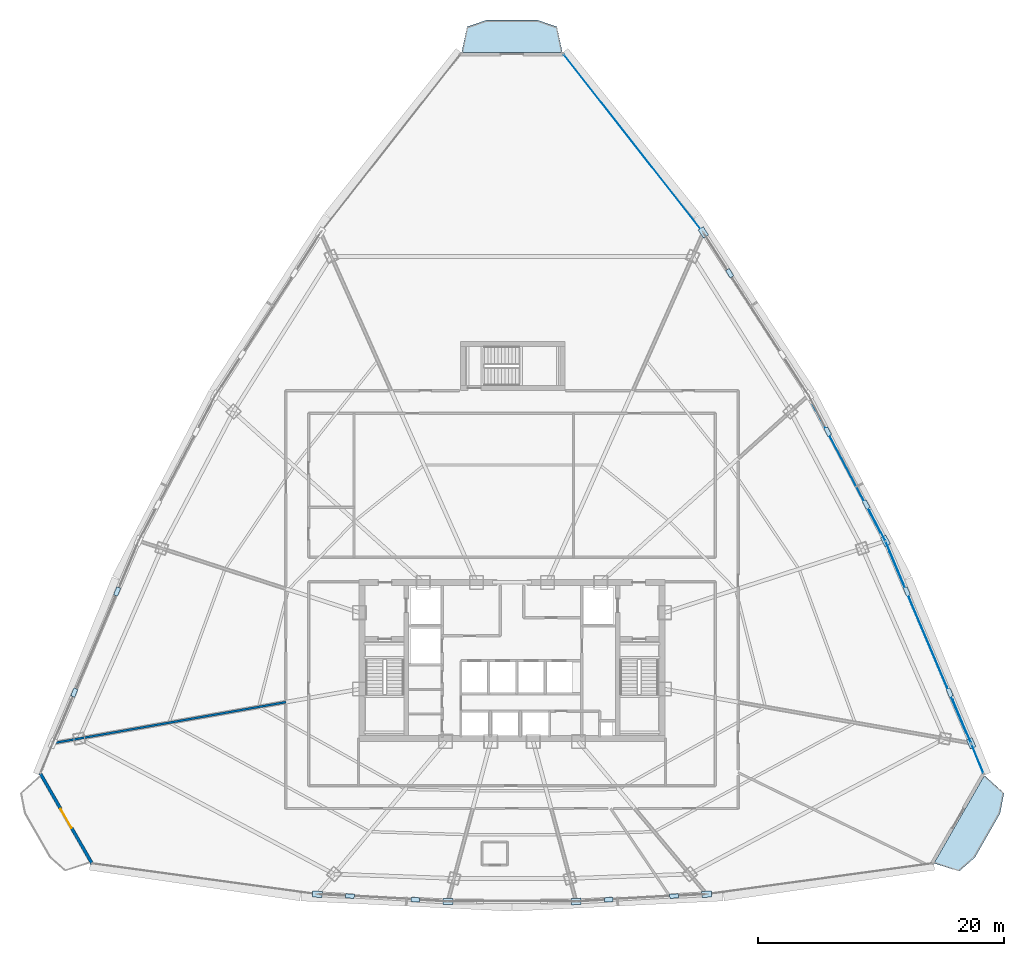
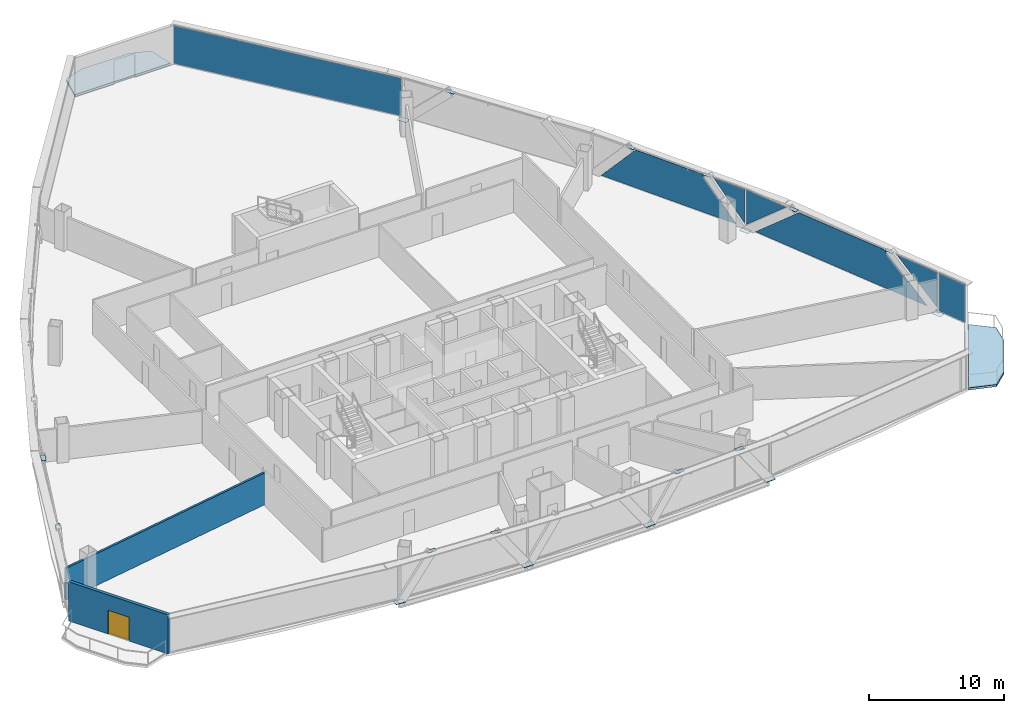
# One storey, part 29 of 37: 25 plates, 2 slabs, 2 walls, 1 door, 1 opening, 4 elements without a shape of their own.
"""IFC4 building model written with IfcOpenShell, lengths in metres."""

from ifc_helpers import new_model, si_unit, direction, frame, frame_2d, origin, origin_with_axes, origin_2d, place, context, subcontext, project, spatial, polyline, rectangle, outline, extrude, source, transform, mapped, material, layer, layer_set, type_object, element, fill, aggregate, save


model = new_model("IFC4")

# Units and contexts
model_context = context("Model", 3, precision=1e-05, world=origin(), true_north=direction((0.0, 1.0)))
body_context = subcontext(model_context, "Body", "Model", "MODEL_VIEW")
ifc_project = project(units=[si_unit("LENGTHUNIT", "METRE"), si_unit("AREAUNIT", "SQUARE_METRE"), si_unit("VOLUMEUNIT", "CUBIC_METRE"), si_unit("PLANEANGLEUNIT", "RADIAN"), si_unit("MASSUNIT", "GRAM", prefix="KILO"), si_unit("THERMODYNAMICTEMPERATUREUNIT", "KELVIN"), si_unit("POWERUNIT", "WATT")], contexts=[model_context])

# Site, building, storey
site_placement = place(None, origin())
site = spatial("IfcSite", under=ifc_project, at=site_placement, CompositionType="ELEMENT")
building_placement = place(site_placement, origin())
building = spatial("IfcBuilding", under=site, at=building_placement, Name="Yunzhuo Pagoda Commons", CompositionType="ELEMENT")
storey_placement = place(building_placement, frame((0.0, 0.0, 192.360107421875)))
storey = spatial("IfcBuildingStorey", under=building, at=storey_placement, Name="L48", CompositionType="ELEMENT", Elevation=192.360107421875)

# Curtain wall, plates
ifc_material_1 = material(Name="Anodized aluminium 6063-T6", Category="aluminium")
ifc_layer_1 = layer(ifc_material_1, 0.14990234375)
ifc_layer_set_1 = layer_set([ifc_layer_1], Name="Anodized aluminium 6063-T6")
curtain_wall_type = type_object("IfcCurtainWallType", Name="CW-MID Mid-Zone Ribbon Curtain Wall", PredefinedType="NOTDEFINED", material=ifc_layer_set_1)
curtain_wall_1_placement = place(storey_placement, origin())
curtain_wall_1 = element("IfcCurtainWall", 1, at=curtain_wall_1_placement, inside=storey, type_object=curtain_wall_type, Name="L48 curtain wall CW-L48-F2B2", PredefinedType="NOTDEFINED")
ifc_material_2 = material(Name="Tempered low-e double glazing", Category="glass")
ifc_layer_2 = layer(ifc_material_2, 0.028076171875)
ifc_layer_set_2 = layer_set([ifc_layer_2], Name="Tempered low-e double glazing")
plate_type_1 = type_object("IfcPlateType", Name="CW-MID-P Low-E Double Glazing 28", PredefinedType="CURTAIN_PANEL", material=ifc_layer_set_2)
plate_1_placement = place(storey_placement, frame((84.583740234375, 28.89306640625, 1.88720703125), z_axis=(0.920666607247, 0.390349840912, 0.0), x_axis=(-0.390349840912, 0.920666607247, 0.0)))
plate_1 = element("IfcPlate", 2, at=plate_1_placement, type_object=plate_type_1, Name="CW panel 1.1 lite 1", PredefinedType="CURTAIN_PANEL", context=body_context, shape_type="SweptSolid", body=[
    extrude(outline(polyline([(-1.878662109375, -1.59765625), (1.878662109375, 1.59765625), (-1.878662109375, 1.59765625), (-1.878662109375, -1.59765625)])), origin(), (0.0, 0.0, 1.0), 0.028076171875),
])
plate_2_placement = place(storey_placement, frame((81.82421875, 35.32470703125, 1.769775390625), z_axis=(0.920666607247, 0.390349840912, 0.0), x_axis=(-0.390349840912, 0.920666607247, 0.0)))
plate_2 = element("IfcPlate", 3, at=plate_2_placement, type_object=plate_type_1, Name="CW panel 1.1 lite 2", PredefinedType="CURTAIN_PANEL", context=body_context, shape_type="SweptSolid", body=[
    extrude(outline(polyline([(-7.97998046875, -1.715087890625), (7.97998046875, -1.715087890625), (3.94677734375, 1.715087890625), (-3.946533203125, 1.715087890625), (-7.97998046875, -1.715087890625)])), origin(), (0.0, 0.0, 1.0), 0.028076171875),
])
plate_3_placement = place(storey_placement, frame((79.119873046875, 41.779541015625, 1.88720703125), z_axis=(0.920666607247, 0.390349840912, 0.0), x_axis=(-0.390349840912, 0.920666607247, 0.0)))
plate_3 = element("IfcPlate", 4, at=plate_3_placement, type_object=plate_type_1, Name="CW panel 1.1 lite 3", PredefinedType="CURTAIN_PANEL", context=body_context, shape_type="SweptSolid", body=[
    extrude(outline(polyline([(-1.878662109375, 1.59765625), (1.878662109375, -1.59765625), (1.878662109375, 1.59765625), (-1.878662109375, 1.59765625)])), origin(), (0.0, 0.0, 1.0), 0.028076171875),
])
aggregate(curtain_wall_1, [plate_1, plate_2, plate_3])

curtain_wall_2_placement = place(storey_placement, origin())
curtain_wall_2 = element("IfcCurtainWall", 5, at=curtain_wall_2_placement, inside=storey, type_object=curtain_wall_type, Name="L48 curtain wall CW-L48-F2B3", PredefinedType="NOTDEFINED")
plate_4_placement = place(storey_placement, frame((77.69775390625, 44.825927734375, 1.933837890625), z_axis=(0.884483826433, 0.466570852903, 0.0), x_axis=(-0.466570852903, 0.884483826433, 0.0)))
plate_4 = element("IfcPlate", 6, at=plate_4_placement, type_object=plate_type_1, Name="CW panel 1.1 lite 1", PredefinedType="CURTAIN_PANEL", context=body_context, shape_type="SweptSolid", body=[
    extrude(outline(polyline([(-1.367431640625, -1.55126953125), (1.367431640625, 1.551025390625), (-1.367431640625, 1.551025390625), (-1.367431640625, -1.55126953125)])), origin(), (0.0, 0.0, 1.0), 0.028076171875),
])
plate_5_placement = place(storey_placement, frame((75.211181640625, 49.47509765625, 1.769775390625), z_axis=(0.884483826433, 0.466570852903, 0.0), x_axis=(-0.466570852903, 0.884483826433, 0.0)))
plate_5 = element("IfcPlate", 7, at=plate_5_placement, type_object=plate_type_1, Name="CW panel 1.1 lite 2", PredefinedType="CURTAIN_PANEL", context=body_context, shape_type="SweptSolid", body=[
    extrude(outline(polyline([(-5.91552734375, -1.715087890625), (5.91552734375, -1.715087890625), (2.891845703125, 1.715087890625), (-2.891845703125, 1.715087890625), (-5.91552734375, -1.715087890625)])), origin(), (0.0, 0.0, 1.0), 0.028076171875),
])
aggregate(curtain_wall_2, [plate_4, plate_5])

# Slabs
ifc_material_3 = material(Name="Concrete C40", Category="concrete")
ifc_layer_3 = layer(ifc_material_3, 0.199951171875)
ifc_layer_set_3 = layer_set([ifc_layer_3], Name="Concrete C40")
slab_type = type_object("IfcSlabType", Name="SL-BAL Vertex Balcony Deck Slab 200", PredefinedType="FLOOR", material=ifc_layer_set_3)
slab_1_placement = place(storey_placement, frame((0.0, 0.0, -0.2001953125)))
element("IfcSlab", 8, at=slab_1_placement, inside=storey, type_object=slab_type, Name="L48 corner balcony V2", PredefinedType="FLOOR", context=body_context, shape_type="SweptSolid", body=[
    extrude(outline(polyline([(82.33154296875, 17.347900390625), (86.431640625, 24.48876953125), (88.0244140625, 23.055419921875), (87.700439453125, 21.386474609375), (85.650390625, 17.81591796875), (84.37255859375, 16.69482421875), (82.33154296875, 17.347900390625)])), origin(), (0.0, 0.0, 1.0), 0.2001953125),
])
slab_2_placement = place(storey_placement, frame((0.0, 0.0, -0.2001953125)))
element("IfcSlab", 9, at=slab_2_placement, inside=storey, type_object=slab_type, Name="L48 corner balcony V3", PredefinedType="FLOOR", context=body_context, shape_type="SweptSolid", body=[
    extrude(outline(polyline([(52.10009765625, 83.302490234375), (43.89990234375, 83.302490234375), (44.349853515625, 85.3974609375), (45.949951171875, 85.947509765625), (50.050048828125, 85.947509765625), (51.650146484375, 85.3974609375), (52.10009765625, 83.302490234375)])), origin(), (0.0, 0.0, 1.0), 0.2001953125),
])

# Plates
ifc_material_4 = material(Name="Structural steel Q355B", Category="steel")
ifc_layer_4 = layer(ifc_material_4, 0.028076171875)
ifc_layer_set_4 = layer_set([ifc_layer_4], Name="Structural steel Q355B")
plate_type_2 = type_object("IfcPlateType", Name="SP-ND1 Lattice Node Cap Plate 800x500x28", PredefinedType="USERDEFINED", material=ifc_layer_set_4)
shared_shape_1 = source(origin(), body_context, "Body", "SweptSolid", [
    extrude(rectangle(XDim=0.800048828125, YDim=0.5, at=origin_2d()), origin(), (0.0, 0.0, 1.0), 0.028076171875),
])
for number, where, z_axis, x_axis, name in (
    (10, (32.165283203125, 14.8291015625, -0.27392578125), (0.0, 0.0, 1.0), (0.998431983443, -0.055978339012, 0.0), "L48 diamond node plate F1.1A"),
    (11, (42.783935546875, 14.233642578125, -0.27392578125), (0.0, 0.0, 1.0), (1.0, 0.0, 0.0), "L48 diamond node plate F1.2A"),
    (12, (53.216064453125, 14.233642578125, -0.27392578125), (0.0, 0.0, 1.0), (0.998431983443, 0.055978339012, 0.0), "L48 diamond node plate F1.3A"),
    (13, (63.834716796875, 14.8291015625, -0.27392578125), (0.0, 0.0, 1.0), (0.998431983443, 0.055978339012, 0.0), "L48 diamond node plate F1.3B"),
    (14, (85.353515625, 27.113525390625, -0.27392578125), (0.0, 0.0, 1.0), (-0.39034551405, 0.920668441764, 0.0), "L48 diamond node plate F2.1A"),
    (15, (78.376220703125, 43.56982421875, -0.27392578125), (0.0, 0.0, 1.0), (-0.466571896316, 0.884483276025, 0.0), "L48 diamond node plate F2.2A"),
    (16, (63.5654296875, 68.660888671875, -0.27392578125), (0.0, 0.0, 1.0), (-0.542910648791, 0.839790466384, 0.0), "L48 diamond node plate F2.3B"),
):
    element("IfcPlate", number, at=place(storey_placement, frame(where, z_axis=z_axis, x_axis=x_axis)), inside=storey, type_object=plate_type_2, Name=name, ObjectType="STIFFENER_PLATE", PredefinedType="USERDEFINED", context=body_context, shape_type="MappedRepresentation", body=[
        mapped(shared_shape_1, transform((0.0, 0.0, 0.0), scale=1.0)),
    ])
shared_shape_2 = source(origin(), body_context, "Body", "SweptSolid", [
    extrude(rectangle(XDim=0.699951171875, YDim=0.35009765625, at=origin_2d()), origin(), (0.0, 0.0, 1.0), 0.035888671875),
])
for number, where, z_axis, x_axis, name in (
    (17, (34.820068359375, 14.68017578125, 3.501953125), (0.0, 0.0, 1.0), (0.998431983443, -0.055978339012, 0.0), "L48 setback lattice tie plate F1.1L"),
    (18, (40.12939453125, 14.38232421875, 3.501953125), (0.0, 0.0, 1.0), (0.998431983443, -0.055978339012, 0.0), "L48 setback lattice tie plate F1.1R"),
    (19, (55.87060546875, 14.38232421875, 3.501953125), (0.0, 0.0, 1.0), (0.998431983443, 0.055978339012, 0.0), "L48 setback lattice tie plate F1.3L"),
    (20, (61.179931640625, 14.68017578125, 3.501953125), (0.0, 0.0, 1.0), (0.998431983443, 0.055978339012, 0.0), "L48 setback lattice tie plate F1.3R"),
    (21, (83.609130859375, 31.227783203125, 3.501953125), (0.0, 0.0, 1.0), (-0.39034551405, 0.920668441764, 0.0), "L48 setback lattice tie plate F2.1L"),
    (22, (80.12060546875, 39.455810546875, 3.501953125), (0.0, 0.0, 1.0), (-0.39034551405, 0.920668441764, 0.0), "L48 setback lattice tie plate F2.1R"),
    (23, (76.813232421875, 46.53271484375, 3.501953125), (0.0, 0.0, 1.0), (-0.466571896316, 0.884483276025, 0.0), "L48 setback lattice tie plate F2.2L"),
    (24, (73.687255859375, 52.45849609375, 3.501953125), (0.0, 0.0, 1.0), (-0.466571896316, 0.884483276025, 0.0), "L48 setback lattice tie plate F2.2R"),
    (25, (65.705078125, 65.35107421875, 3.501953125), (0.0, 0.0, 1.0), (-0.542910648791, 0.839790466384, 0.0), "L48 setback lattice tie plate F2.3R"),
    (26, (15.87939453125, 39.455810546875, 3.501953125), (0.0, 0.0, 1.0), (-0.39034551405, -0.920668441764, 0.0), "L48 setback lattice tie plate F3.3L"),
    (27, (12.390869140625, 31.227783203125, 3.501953125), (0.0, 0.0, 1.0), (-0.39034551405, -0.920668441764, 0.0), "L48 setback lattice tie plate F3.3R"),
):
    element("IfcPlate", number, at=place(storey_placement, frame(where, z_axis=z_axis, x_axis=x_axis)), inside=storey, type_object=plate_type_2, Name=name, ObjectType="STIFFENER_PLATE", PredefinedType="USERDEFINED", context=body_context, shape_type="MappedRepresentation", body=[
        mapped(shared_shape_2, transform((0.0, 0.0, 0.0), scale=1.0)),
    ])

# Curtain wall, plate
curtain_wall_3_placement = place(storey_placement, origin())
curtain_wall_3 = element("IfcCurtainWall", 28, at=curtain_wall_3_placement, inside=storey, type_object=curtain_wall_type, Name="L48 curtain wall CW-L48-F2B1", PredefinedType="NOTDEFINED")
shared_shape_3 = source(origin(), body_context, "Body", "SweptSolid", [
    extrude(rectangle(XDim=2.477783203125, YDim=0.028076171875, at=origin_2d()), origin(), (0.0, 0.0, 1.0), 3.429931640625),
])
plate_6_placement = place(storey_placement, frame((85.871826171875, 25.84130859375, 0.0546875), z_axis=(0.0, 0.0, 1.0), x_axis=(-0.377349463967, 0.926070937911, 0.0)))
plate_6 = element("IfcPlate", 29, at=plate_6_placement, type_object=plate_type_1, Name="CW panel 1.1", PredefinedType="CURTAIN_PANEL", context=body_context, shape_type="MappedRepresentation", body=[
    mapped(shared_shape_3, transform((0.0, 0.0, 0.0), scale=1.0)),
])
aggregate(curtain_wall_3, [plate_6])

curtain_wall_4_placement = place(storey_placement, origin())
curtain_wall_4 = element("IfcCurtainWall", 30, at=curtain_wall_4_placement, inside=storey, type_object=curtain_wall_type, Name="L48 curtain wall CW-L48-F2B5", PredefinedType="NOTDEFINED")
shared_shape_4 = source(origin(), body_context, "Body", "SweptSolid", [
    extrude(rectangle(XDim=18.23681640625, YDim=0.028076171875, at=origin_2d()), origin(), (0.0, 0.0, 1.0), 3.429931640625),
])
plate_7_placement = place(storey_placement, frame((57.857177734375, 75.943603515625, 0.0546875), z_axis=(0.0, 0.0, 1.0), x_axis=(-0.616889324316, 0.787049910454, 0.0)))
plate_7 = element("IfcPlate", 31, at=plate_7_placement, type_object=plate_type_1, Name="CW panel 1.1", PredefinedType="CURTAIN_PANEL", context=body_context, shape_type="MappedRepresentation", body=[
    mapped(shared_shape_4, transform((0.0, 0.0, 0.0), scale=1.0)),
])
aggregate(curtain_wall_4, [plate_7])

# Wall, opening, door
ifc_material_5 = material(Name="Precast concrete C40", Category="concrete")
ifc_layer_5 = layer(ifc_material_5, 0.260009765625)
ifc_layer_set_5 = layer_set([ifc_layer_5], Name="Precast concrete C40")
wall_type_1 = type_object("IfcWallType", Name="W-BAL1 Corner Balcony Threshold Wall 260", PredefinedType="STANDARD", material=ifc_layer_set_5)
wall_1_placement = place(storey_placement, frame((9.610595703125, 24.68603515625, 0.0), z_axis=(0.0, 0.0, 1.0), x_axis=(0.497930869929, -0.867216725376, 0.0)))
wall_1 = element("IfcWall", 32, at=wall_1_placement, inside=storey, type_object=wall_type_1, Name="L48 corner balcony wall V1", PredefinedType="STANDARD", context=body_context, shape_type="SweptSolid", body=[
    extrude(rectangle(XDim=8.534423828125, YDim=0.260009765625, at=frame_2d((4.26708984375, 0.0))), origin(), (0.0, 0.0, 1.0), 3.539794921875),
])
opening_placement = place(wall_1_placement, frame((3.3671875, 0.0, 0.0)))
opening = element("IfcOpeningElement", 33, at=opening_placement, cuts=wall_1, Name="Opening D-BAL1", PredefinedType="OPENING", context=body_context, shape_type="SweptSolid", body=[
    extrude(rectangle(XDim=1.800048828125, YDim=2.14990234375, at=frame_2d((0.89990234375, 1.074951171875))), frame((0.0, 0.14013671875, 0.0), z_axis=(0.0, -1.0, 0.0), x_axis=(1.0, 0.0, 0.0)), (0.0, 0.0, 1.0), 0.280029296875),
])
ifc_material_6 = material(Name="Anodized aluminium frame and tempered glazed leaf", Category="aluminium")
door_type = type_object("IfcDoorType", Name="D-BAL1 Corner Balcony Sliding Glazed Door 1800x2150", OperationType="DOUBLE_DOOR_SLIDING", PredefinedType="DOOR", material=ifc_material_6)
shared_shape_5 = source(origin(), body_context, "Body", "SweptSolid", [
    extrude(rectangle(XDim=1.800048828125, YDim=2.14990234375, at=frame_2d((0.89990234375, 1.074951171875))), frame((0.0, 0.02490234375, 0.0), z_axis=(0.0, -1.0, 0.0), x_axis=(1.0, 0.0, 0.0)), (0.0, 0.0, 1.0), 0.050048828125),
])
door_placement = place(opening_placement, origin_with_axes())
door = element("IfcDoor", 34, at=door_placement, inside=storey, type_object=door_type, Name="L48 corner balcony sliding door V1", OperationType="DOUBLE_DOOR_SLIDING", OverallHeight=2.14990234375, OverallWidth=1.800048828125, PredefinedType="DOOR", context=body_context, shape_type="MappedRepresentation", body=[
    mapped(shared_shape_5, transform((0.0, 0.0, 0.0), scale=1.0)),
])
fill(opening, door)

# Wall
ifc_material_7 = material(Name="Gypsum plasterboard on acoustic stud")
ifc_layer_6 = layer(ifc_material_7, 0.175048828125)
ifc_layer_set_6 = layer_set([ifc_layer_6], Name="Gypsum plasterboard on acoustic stud")
wall_type_2 = type_object("IfcWallType", Name="W-PRT3 Mid-Zone Demising Wall 175", PredefinedType="PARTITIONING", material=ifc_layer_set_6)
wall_2_placement = place(storey_placement, frame((29.60009765625, 30.45556640625, 0.0), z_axis=(0.0, 0.0, 1.0), x_axis=(-0.984807685374, -0.173648561263, 0.0)))
element("IfcWall", 35, at=wall_2_placement, inside=storey, type_object=wall_type_2, Name="L48 interior wall IW-L48-RAD05", PredefinedType="PARTITIONING", context=body_context, shape_type="SweptSolid", body=[
    extrude(rectangle(XDim=19.24609375, YDim=0.175048828125, at=frame_2d((9.623046875, 0.0))), origin(), (0.0, 0.0, 1.0), 2.889892578125),
])

save(model, "model.ifc")
